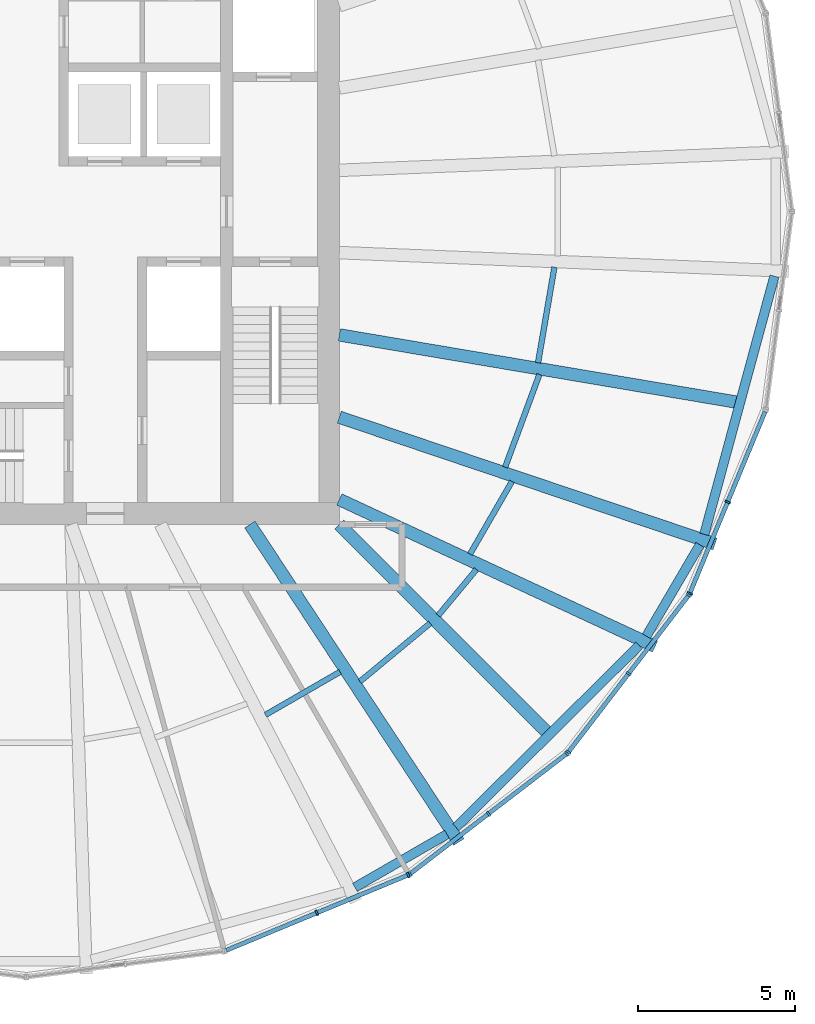
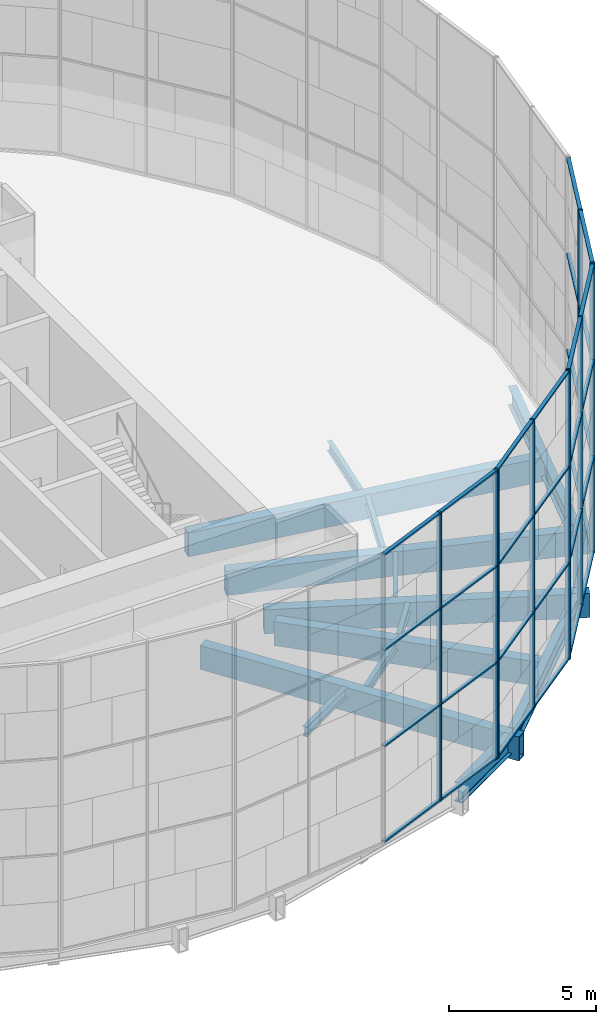
# One storey, part 4 of 22: 42 members, 15 beams, 4 elements without a shape of their own.
"""IFC4 building model written with IfcOpenShell, lengths in metres."""

from ifc_helpers import new_model, si_unit, direction, frame, origin, origin_2d, place, context, subcontext, project, spatial, rectangle, hollow_rectangle, i_section, extrude, material, material_profile, profile_set, type_object, element, aggregate, save


model = new_model("IFC4")

# Units and contexts
model_context = context("Model", 3, precision=1e-05, world=origin(), true_north=direction((0.0, 1.0)))
body_context = subcontext(model_context, "Body", "Model", "MODEL_VIEW")
ifc_project = project(units=[si_unit("LENGTHUNIT", "METRE"), si_unit("AREAUNIT", "SQUARE_METRE"), si_unit("VOLUMEUNIT", "CUBIC_METRE"), si_unit("PLANEANGLEUNIT", "RADIAN"), si_unit("MASSUNIT", "GRAM", prefix="KILO")], contexts=[model_context])

# Site, building, storey
site_placement = place(None, origin())
site = spatial("IfcSite", under=ifc_project, at=site_placement, CompositionType="ELEMENT")
building_placement = place(site_placement, origin())
building = spatial("IfcBuilding", under=site, at=building_placement, Name="Golbaran Civic Tower", CompositionType="ELEMENT")
storey_placement = place(building_placement, frame((0.0, 0.0, 90.0)))
storey = spatial("IfcBuildingStorey", under=building, at=storey_placement, Name="L21", CompositionType="ELEMENT", Elevation=90.0)

# Beams
ifc_material_1 = material(Name="Steel S355", Category="steel")
ifc_material_profile_1 = material_profile(ifc_material_1, i_section(OverallWidth=0.300048828125, OverallDepth=0.800048828125, WebThickness=0.017578125, FlangeThickness=0.032958984375, FilletRadius=0.030029296875, at=origin_2d()), Name="HEB 800")
ifc_profile_set_1 = profile_set([ifc_material_profile_1], Name="Steel S355")
beam_type_1 = type_object("IfcBeamType", Name="EDGE BEAM HEB 800", PredefinedType="BEAM", material=ifc_profile_set_1)
beam_1_placement = place(storey_placement, frame((10.498291015625, -21.59130859375, -0.60009765625), z_axis=(0.866177202748, 0.499736984262, 0.0), x_axis=(-0.499736984262, 0.866177202748, 0.0)))
element("IfcBeam", 1, at=beam_1_placement, inside=storey, type_object=beam_type_1, Name="Edge beam 295.58 L21", PredefinedType="BEAM", context=body_context, shape_type="SweptSolid", body=[
    extrude(i_section(OverallWidth=0.300048828125, OverallDepth=0.800048828125, WebThickness=0.017578125, FlangeThickness=0.032958984375, FilletRadius=0.030029296875, at=origin_2d()), origin(), (0.0, 0.0, 1.0), 3.393798828125),
])
beam_2_placement = place(storey_placement, frame((13.724365234375, -19.67578125, -0.60009765625), z_axis=(0.709410042226, 0.704795993171, 0.0), x_axis=(-0.704795993171, 0.709410042226, 0.0)))
element("IfcBeam", 2, at=beam_2_placement, inside=storey, type_object=beam_type_1, Name="Edge beam 304.42 L21", PredefinedType="BEAM", context=body_context, shape_type="SweptSolid", body=[
    extrude(i_section(OverallWidth=0.300048828125, OverallDepth=0.800048828125, WebThickness=0.017578125, FlangeThickness=0.032958984375, FilletRadius=0.030029296875, at=origin_2d()), origin(), (0.0, 0.0, 1.0), 8.25439453125),
])
beam_3_placement = place(storey_placement, frame((19.807373046875, -13.56689453125, -0.60009765625), z_axis=(0.50551208976, 0.862819521746, 0.0), x_axis=(-0.862819521746, 0.50551208976, 0.0)))
element("IfcBeam", 3, at=beam_3_placement, inside=storey, type_object=beam_type_1, Name="Edge beam 325.58 L21", PredefinedType="BEAM", context=body_context, shape_type="SweptSolid", body=[
    extrude(i_section(OverallWidth=0.300048828125, OverallDepth=0.800048828125, WebThickness=0.017578125, FlangeThickness=0.032958984375, FilletRadius=0.030029296875, at=origin_2d()), origin(), (0.0, 0.0, 1.0), 3.383544921875),
])
beam_4_placement = place(storey_placement, frame((21.658203125, -10.314697265625, -0.60009765625), z_axis=(0.262164981127, 0.965023068466, 0.0), x_axis=(-0.965023068466, 0.262164981127, 0.0)))
element("IfcBeam", 4, at=beam_4_placement, inside=storey, type_object=beam_type_1, Name="Edge beam 334.42 L21", PredefinedType="BEAM", context=body_context, shape_type="SweptSolid", body=[
    extrude(i_section(OverallWidth=0.300048828125, OverallDepth=0.800048828125, WebThickness=0.017578125, FlangeThickness=0.032958984375, FilletRadius=0.030029296875, at=origin_2d()), origin(), (0.0, 0.0, 1.0), 8.546875),
])
ifc_material_profile_2 = material_profile(ifc_material_1, i_section(OverallWidth=0.179931640625, OverallDepth=0.39990234375, WebThickness=0.008544921875, FlangeThickness=0.013427734375, FilletRadius=0.02099609375, at=origin_2d()), Name="IPE 400")
ifc_profile_set_2 = profile_set([ifc_material_profile_2], Name="Steel S355")
beam_type_2 = type_object("IfcBeamType", Name="FLOOR INFILL BEAM IPE 400", PredefinedType="BEAM", material=ifc_profile_set_2)
beam_5_placement = place(storey_placement, frame((7.6416015625, -16.081298828125, -0.39990234375), z_axis=(0.866033343297, 0.499986248108, 0.0), x_axis=(-0.499986248108, 0.866033343297, 0.0)))
element("IfcBeam", 5, at=beam_5_placement, inside=storey, type_object=beam_type_2, Name="Infill beam 300.00 L21", PredefinedType="BEAM", context=body_context, shape_type="SweptSolid", body=[
    extrude(i_section(OverallWidth=0.179931640625, OverallDepth=0.39990234375, WebThickness=0.008544921875, FlangeThickness=0.013427734375, FilletRadius=0.02099609375, at=origin_2d()), origin(), (0.0, 0.0, 1.0), 2.75048828125),
])
beam_6_placement = place(storey_placement, frame((10.658935546875, -15.016357421875, -0.39990234375), z_axis=(0.769325958609, 0.638856454464, 0.0), x_axis=(-0.638856454464, 0.769325958609, 0.0)))
element("IfcBeam", 6, at=beam_6_placement, inside=storey, type_object=beam_type_2, Name="Infill beam 309.71 L21", PredefinedType="BEAM", context=body_context, shape_type="SweptSolid", body=[
    extrude(i_section(OverallWidth=0.179931640625, OverallDepth=0.39990234375, WebThickness=0.008544921875, FlangeThickness=0.013427734375, FilletRadius=0.02099609375, at=origin_2d()), origin(), (0.0, 0.0, 1.0), 2.91357421875),
])
beam_7_placement = place(storey_placement, frame((13.159912109375, -12.905517578125, -0.39990234375), z_axis=(0.638925380548, 0.769268716439, 0.0), x_axis=(-0.769268716439, 0.638925380548, 0.0)))
element("IfcBeam", 7, at=beam_7_placement, inside=storey, type_object=beam_type_2, Name="Infill beam 320.29 L21", PredefinedType="BEAM", context=body_context, shape_type="SweptSolid", body=[
    extrude(i_section(OverallWidth=0.179931640625, OverallDepth=0.39990234375, WebThickness=0.008544921875, FlangeThickness=0.013427734375, FilletRadius=0.02099609375, at=origin_2d()), origin(), (0.0, 0.0, 1.0), 1.90869140625),
])
beam_8_placement = place(storey_placement, frame((14.174560546875, -10.94482421875, -0.39990234375), z_axis=(0.500045531117, 0.865999114786, 0.0), x_axis=(-0.865999114786, 0.500045531117, 0.0)))
element("IfcBeam", 8, at=beam_8_placement, inside=storey, type_object=beam_type_2, Name="Infill beam 330.00 L21", PredefinedType="BEAM", context=body_context, shape_type="SweptSolid", body=[
    extrude(i_section(OverallWidth=0.179931640625, OverallDepth=0.39990234375, WebThickness=0.008544921875, FlangeThickness=0.013427734375, FilletRadius=0.02099609375, at=origin_2d()), origin(), (0.0, 0.0, 1.0), 2.681884765625),
])
beam_9_placement = place(storey_placement, frame((15.296630859375, -8.16845703125, -0.39990234375), z_axis=(0.346755155412, 0.937955682426, 0.0), x_axis=(-0.937955682426, 0.346755155412, 0.0)))
element("IfcBeam", 9, at=beam_9_placement, inside=storey, type_object=beam_type_2, Name="Infill beam 339.71 L21", PredefinedType="BEAM", context=body_context, shape_type="SweptSolid", body=[
    extrude(i_section(OverallWidth=0.179931640625, OverallDepth=0.39990234375, WebThickness=0.008544921875, FlangeThickness=0.013427734375, FilletRadius=0.02099609375, at=origin_2d()), origin(), (0.0, 0.0, 1.0), 3.156982421875),
])
beam_10_placement = place(storey_placement, frame((16.34814453125, -4.834716796875, -0.39990234375), z_axis=(0.168673252572, 0.985672021449, 0.0), x_axis=(-0.985672021449, 0.168673252572, 0.0)))
element("IfcBeam", 10, at=beam_10_placement, inside=storey, type_object=beam_type_2, Name="Infill beam 350.29 L21", PredefinedType="BEAM", context=body_context, shape_type="SweptSolid", body=[
    extrude(i_section(OverallWidth=0.179931640625, OverallDepth=0.39990234375, WebThickness=0.008544921875, FlangeThickness=0.013427734375, FilletRadius=0.02099609375, at=origin_2d()), origin(), (0.0, 0.0, 1.0), 3.101806640625),
])

# Curtain wall, members
ifc_material_2 = material(Name="Aluminium and glass", Category="aluminium")
curtain_wall_type = type_object("IfcCurtainWallType", Name="INNER SKIN CURTAIN WALL", PredefinedType="NOTDEFINED", material=ifc_material_2)
curtain_wall_1_placement = place(storey_placement, origin())
curtain_wall_1 = element("IfcCurtainWall", 11, at=curtain_wall_1_placement, inside=storey, type_object=curtain_wall_type, Name="Inner skin L21 facet 20 CW1", ObjectType="INNER SKIN", PredefinedType="USERDEFINED")
ifc_material_3 = material(Name="Aluminium", Category="aluminium")
ifc_material_profile_3 = material_profile(ifc_material_3, rectangle(XDim=0.179931640625, YDim=0.06494140625, at=origin_2d()), Name="INNER SKIN CURTAIN WALL MULLION")
ifc_profile_set_3 = profile_set([ifc_material_profile_3], Name="Aluminium")
member_type_1 = type_object("IfcMemberType", Name="INNER SKIN CURTAIN WALL MULLION", PredefinedType="MULLION", material=ifc_profile_set_3)
member_1_placement = place(storey_placement, frame((9.28076171875, -22.40576171875, 0.0), z_axis=(0.0, 0.0, 1.0), x_axis=(-0.382683432365, 0.923879532511, 0.0)))
member_1 = element("IfcMember", 12, at=member_1_placement, type_object=member_type_1, Name="CW1 mullion 2", PredefinedType="MULLION", context=body_context, shape_type="SweptSolid", body=[
    extrude(rectangle(XDim=0.179931640625, YDim=0.06494140625, at=origin_2d()), origin(), (0.0, 0.0, 1.0), 12.0),
])
member_2_placement = place(storey_placement, frame((12.200439453125, -21.1962890625, 0.0), z_axis=(0.0, 0.0, 1.0), x_axis=(-0.382683432365, 0.923879532511, 0.0)))
member_2 = element("IfcMember", 13, at=member_2_placement, type_object=member_type_1, Name="CW1 mullion 3", PredefinedType="MULLION", context=body_context, shape_type="SweptSolid", body=[
    extrude(rectangle(XDim=0.179931640625, YDim=0.06494140625, at=origin_2d()), origin(), (0.0, 0.0, 1.0), 12.0),
])

curtain_wall_2_placement = place(storey_placement, origin())
curtain_wall_2 = element("IfcCurtainWall", 14, at=curtain_wall_2_placement, inside=storey, type_object=curtain_wall_type, Name="Inner skin L21 facet 21 CW1", ObjectType="INNER SKIN", PredefinedType="USERDEFINED")
member_3_placement = place(storey_placement, frame((12.25634765625, -21.1640625, 0.0), z_axis=(0.0, 0.0, 1.0), x_axis=(-0.608761428939, 0.793353340344, 0.0)))
member_3 = element("IfcMember", 15, at=member_3_placement, type_object=member_type_1, Name="CW1 mullion 1", PredefinedType="MULLION", context=body_context, shape_type="SweptSolid", body=[
    extrude(rectangle(XDim=0.179931640625, YDim=0.06494140625, at=origin_2d()), origin(), (0.0, 0.0, 1.0), 12.0),
])
member_4_placement = place(storey_placement, frame((14.763427734375, -19.240234375, 0.0), z_axis=(0.0, 0.0, 1.0), x_axis=(-0.608761428939, 0.793353340344, 0.0)))
member_4 = element("IfcMember", 16, at=member_4_placement, type_object=member_type_1, Name="CW1 mullion 2", PredefinedType="MULLION", context=body_context, shape_type="SweptSolid", body=[
    extrude(rectangle(XDim=0.179931640625, YDim=0.06494140625, at=origin_2d()), origin(), (0.0, 0.0, 1.0), 12.0),
])
member_5_placement = place(storey_placement, frame((17.270751953125, -17.31640625, 0.0), z_axis=(0.0, 0.0, 1.0), x_axis=(-0.608761428939, 0.793353340344, 0.0)))
member_5 = element("IfcMember", 17, at=member_5_placement, type_object=member_type_1, Name="CW1 mullion 3", PredefinedType="MULLION", context=body_context, shape_type="SweptSolid", body=[
    extrude(rectangle(XDim=0.179931640625, YDim=0.06494140625, at=origin_2d()), origin(), (0.0, 0.0, 1.0), 12.0),
])

curtain_wall_3_placement = place(storey_placement, origin())
curtain_wall_3 = element("IfcCurtainWall", 18, at=curtain_wall_3_placement, inside=storey, type_object=curtain_wall_type, Name="Inner skin L21 facet 22 CW1", ObjectType="INNER SKIN", PredefinedType="USERDEFINED")
member_6_placement = place(storey_placement, frame((17.31640625, -17.270751953125, 0.0), z_axis=(0.0, 0.0, 1.0), x_axis=(-0.793353340344, 0.608761428939, 0.0)))
member_6 = element("IfcMember", 19, at=member_6_placement, type_object=member_type_1, Name="CW1 mullion 1", PredefinedType="MULLION", context=body_context, shape_type="SweptSolid", body=[
    extrude(rectangle(XDim=0.179931640625, YDim=0.06494140625, at=origin_2d()), origin(), (0.0, 0.0, 1.0), 12.0),
])
member_7_placement = place(storey_placement, frame((19.240234375, -14.763427734375, 0.0), z_axis=(0.0, 0.0, 1.0), x_axis=(-0.793353340344, 0.608761428939, 0.0)))
member_7 = element("IfcMember", 20, at=member_7_placement, type_object=member_type_1, Name="CW1 mullion 2", PredefinedType="MULLION", context=body_context, shape_type="SweptSolid", body=[
    extrude(rectangle(XDim=0.179931640625, YDim=0.06494140625, at=origin_2d()), origin(), (0.0, 0.0, 1.0), 12.0),
])
member_8_placement = place(storey_placement, frame((21.1640625, -12.25634765625, 0.0), z_axis=(0.0, 0.0, 1.0), x_axis=(-0.793353340344, 0.608761428939, 0.0)))
member_8 = element("IfcMember", 21, at=member_8_placement, type_object=member_type_1, Name="CW1 mullion 3", PredefinedType="MULLION", context=body_context, shape_type="SweptSolid", body=[
    extrude(rectangle(XDim=0.179931640625, YDim=0.06494140625, at=origin_2d()), origin(), (0.0, 0.0, 1.0), 12.0),
])

curtain_wall_4_placement = place(storey_placement, origin())
curtain_wall_4 = element("IfcCurtainWall", 22, at=curtain_wall_4_placement, inside=storey, type_object=curtain_wall_type, Name="Inner skin L21 facet 23 CW1", ObjectType="INNER SKIN", PredefinedType="USERDEFINED")
member_9_placement = place(storey_placement, frame((21.1962890625, -12.200439453125, 0.0), z_axis=(0.0, 0.0, 1.0), x_axis=(-0.923879532511, 0.382683432365, 0.0)))
member_9 = element("IfcMember", 23, at=member_9_placement, type_object=member_type_1, Name="CW1 mullion 1", PredefinedType="MULLION", context=body_context, shape_type="SweptSolid", body=[
    extrude(rectangle(XDim=0.179931640625, YDim=0.06494140625, at=origin_2d()), origin(), (0.0, 0.0, 1.0), 12.0),
])
member_10_placement = place(storey_placement, frame((22.40576171875, -9.28076171875, 0.0), z_axis=(0.0, 0.0, 1.0), x_axis=(-0.923879532511, 0.382683432365, 0.0)))
member_10 = element("IfcMember", 24, at=member_10_placement, type_object=member_type_1, Name="CW1 mullion 2", PredefinedType="MULLION", context=body_context, shape_type="SweptSolid", body=[
    extrude(rectangle(XDim=0.179931640625, YDim=0.06494140625, at=origin_2d()), origin(), (0.0, 0.0, 1.0), 12.0),
])

# Member
ifc_material_profile_4 = material_profile(ifc_material_3, rectangle(XDim=0.139892578125, YDim=0.06494140625, at=origin_2d()), Name="INNER SKIN CURTAIN WALL TRANSOM")
ifc_profile_set_4 = profile_set([ifc_material_profile_4], Name="Aluminium")
member_type_2 = type_object("IfcMemberType", Name="INNER SKIN CURTAIN WALL TRANSOM", PredefinedType="USERDEFINED", material=ifc_profile_set_4)
member_11_placement = place(storey_placement, frame((6.39111328125, -23.6025390625, 0.032470703125), z_axis=(0.923898591316, 0.382637417099, 0.0), x_axis=(-0.382637417099, 0.923898591316, 0.0)))
member_11 = element("IfcMember", 25, at=member_11_placement, type_object=member_type_2, Name="CW1 transom 1.1", ObjectType="TRANSOM", PredefinedType="USERDEFINED", context=body_context, shape_type="SweptSolid", body=[
    extrude(rectangle(XDim=0.139892578125, YDim=0.06494140625, at=origin_2d()), origin(), (0.0, 0.0, 1.0), 3.09521484375),
])

member_12_placement = place(storey_placement, frame((6.39111328125, -23.6025390625, 4.0), z_axis=(0.923898591316, 0.382637417099, 0.0), x_axis=(-0.382637417099, 0.923898591316, 0.0)))
member_12 = element("IfcMember", 26, at=member_12_placement, type_object=member_type_2, Name="CW1 transom 1.2", ObjectType="TRANSOM", PredefinedType="USERDEFINED", context=body_context, shape_type="SweptSolid", body=[
    extrude(rectangle(XDim=0.139892578125, YDim=0.06494140625, at=origin_2d()), origin(), (0.0, 0.0, 1.0), 3.09521484375),
])

member_13_placement = place(storey_placement, frame((6.39111328125, -23.6025390625, 8.0), z_axis=(0.923898591316, 0.382637417099, 0.0), x_axis=(-0.382637417099, 0.923898591316, 0.0)))
member_13 = element("IfcMember", 27, at=member_13_placement, type_object=member_type_2, Name="CW1 transom 1.3", ObjectType="TRANSOM", PredefinedType="USERDEFINED", context=body_context, shape_type="SweptSolid", body=[
    extrude(rectangle(XDim=0.139892578125, YDim=0.06494140625, at=origin_2d()), origin(), (0.0, 0.0, 1.0), 3.09521484375),
])

member_14_placement = place(storey_placement, frame((6.39111328125, -23.6025390625, 11.967529296875), z_axis=(0.923898591316, 0.382637417099, 0.0), x_axis=(-0.382637417099, 0.923898591316, 0.0)))
member_14 = element("IfcMember", 28, at=member_14_placement, type_object=member_type_2, Name="CW1 transom 1.4", ObjectType="TRANSOM", PredefinedType="USERDEFINED", context=body_context, shape_type="SweptSolid", body=[
    extrude(rectangle(XDim=0.139892578125, YDim=0.06494140625, at=origin_2d()), origin(), (0.0, 0.0, 1.0), 3.09521484375),
])

member_15_placement = place(storey_placement, frame((9.310791015625, -22.393310546875, 0.032470703125), z_axis=(0.923870704881, 0.382704743455, 0.0), x_axis=(-0.382704743455, 0.923870704881, 0.0)))
member_15 = element("IfcMember", 29, at=member_15_placement, type_object=member_type_2, Name="CW1 transom 2.1", ObjectType="TRANSOM", PredefinedType="USERDEFINED", context=body_context, shape_type="SweptSolid", body=[
    extrude(rectangle(XDim=0.139892578125, YDim=0.06494140625, at=origin_2d()), origin(), (0.0, 0.0, 1.0), 3.09521484375),
])

member_16_placement = place(storey_placement, frame((9.310791015625, -22.393310546875, 4.0), z_axis=(0.923870704881, 0.382704743455, 0.0), x_axis=(-0.382704743455, 0.923870704881, 0.0)))
member_16 = element("IfcMember", 30, at=member_16_placement, type_object=member_type_2, Name="CW1 transom 2.2", ObjectType="TRANSOM", PredefinedType="USERDEFINED", context=body_context, shape_type="SweptSolid", body=[
    extrude(rectangle(XDim=0.139892578125, YDim=0.06494140625, at=origin_2d()), origin(), (0.0, 0.0, 1.0), 3.09521484375),
])

member_17_placement = place(storey_placement, frame((9.310791015625, -22.393310546875, 8.0), z_axis=(0.923870704881, 0.382704743455, 0.0), x_axis=(-0.382704743455, 0.923870704881, 0.0)))
member_17 = element("IfcMember", 31, at=member_17_placement, type_object=member_type_2, Name="CW1 transom 2.3", ObjectType="TRANSOM", PredefinedType="USERDEFINED", context=body_context, shape_type="SweptSolid", body=[
    extrude(rectangle(XDim=0.139892578125, YDim=0.06494140625, at=origin_2d()), origin(), (0.0, 0.0, 1.0), 3.09521484375),
])

member_18_placement = place(storey_placement, frame((9.310791015625, -22.393310546875, 11.967529296875), z_axis=(0.923870704881, 0.382704743455, 0.0), x_axis=(-0.382704743455, 0.923870704881, 0.0)))
member_18 = element("IfcMember", 32, at=member_18_placement, type_object=member_type_2, Name="CW1 transom 2.4", ObjectType="TRANSOM", PredefinedType="USERDEFINED", context=body_context, shape_type="SweptSolid", body=[
    extrude(rectangle(XDim=0.139892578125, YDim=0.06494140625, at=origin_2d()), origin(), (0.0, 0.0, 1.0), 3.09521484375),
])

aggregate(curtain_wall_1, [member_1, member_2, member_11, member_12, member_13, member_14, member_15, member_16, member_17, member_18])

member_19_placement = place(storey_placement, frame((12.281982421875, -21.144287109375, 0.032470703125), z_axis=(0.793373992404, 0.608734513706, 0.0), x_axis=(-0.608734513706, 0.793373992404, 0.0)))
member_19 = element("IfcMember", 33, at=member_19_placement, type_object=member_type_2, Name="CW1 transom 1.1", ObjectType="TRANSOM", PredefinedType="USERDEFINED", context=body_context, shape_type="SweptSolid", body=[
    extrude(rectangle(XDim=0.139892578125, YDim=0.06494140625, at=origin_2d()), origin(), (0.0, 0.0, 1.0), 3.095458984375),
])

member_20_placement = place(storey_placement, frame((12.281982421875, -21.144287109375, 4.0), z_axis=(0.793373992404, 0.608734513706, 0.0), x_axis=(-0.608734513706, 0.793373992404, 0.0)))
member_20 = element("IfcMember", 34, at=member_20_placement, type_object=member_type_2, Name="CW1 transom 1.2", ObjectType="TRANSOM", PredefinedType="USERDEFINED", context=body_context, shape_type="SweptSolid", body=[
    extrude(rectangle(XDim=0.139892578125, YDim=0.06494140625, at=origin_2d()), origin(), (0.0, 0.0, 1.0), 3.095458984375),
])

member_21_placement = place(storey_placement, frame((12.281982421875, -21.144287109375, 8.0), z_axis=(0.793373992404, 0.608734513706, 0.0), x_axis=(-0.608734513706, 0.793373992404, 0.0)))
member_21 = element("IfcMember", 35, at=member_21_placement, type_object=member_type_2, Name="CW1 transom 1.3", ObjectType="TRANSOM", PredefinedType="USERDEFINED", context=body_context, shape_type="SweptSolid", body=[
    extrude(rectangle(XDim=0.139892578125, YDim=0.06494140625, at=origin_2d()), origin(), (0.0, 0.0, 1.0), 3.095458984375),
])

member_22_placement = place(storey_placement, frame((12.281982421875, -21.144287109375, 11.967529296875), z_axis=(0.793373992404, 0.608734513706, 0.0), x_axis=(-0.608734513706, 0.793373992404, 0.0)))
member_22 = element("IfcMember", 36, at=member_22_placement, type_object=member_type_2, Name="CW1 transom 1.4", ObjectType="TRANSOM", PredefinedType="USERDEFINED", context=body_context, shape_type="SweptSolid", body=[
    extrude(rectangle(XDim=0.139892578125, YDim=0.06494140625, at=origin_2d()), origin(), (0.0, 0.0, 1.0), 3.095458984375),
])

member_23_placement = place(storey_placement, frame((14.789306640625, -19.220458984375, 0.032470703125), z_axis=(0.793344763013, 0.608772606973, 0.0), x_axis=(-0.608772606973, 0.793344763013, 0.0)))
member_23 = element("IfcMember", 37, at=member_23_placement, type_object=member_type_2, Name="CW1 transom 2.1", ObjectType="TRANSOM", PredefinedType="USERDEFINED", context=body_context, shape_type="SweptSolid", body=[
    extrude(rectangle(XDim=0.139892578125, YDim=0.06494140625, at=origin_2d()), origin(), (0.0, 0.0, 1.0), 3.09521484375),
])

member_24_placement = place(storey_placement, frame((14.789306640625, -19.220458984375, 4.0), z_axis=(0.793344763013, 0.608772606973, 0.0), x_axis=(-0.608772606973, 0.793344763013, 0.0)))
member_24 = element("IfcMember", 38, at=member_24_placement, type_object=member_type_2, Name="CW1 transom 2.2", ObjectType="TRANSOM", PredefinedType="USERDEFINED", context=body_context, shape_type="SweptSolid", body=[
    extrude(rectangle(XDim=0.139892578125, YDim=0.06494140625, at=origin_2d()), origin(), (0.0, 0.0, 1.0), 3.09521484375),
])

member_25_placement = place(storey_placement, frame((14.789306640625, -19.220458984375, 8.0), z_axis=(0.793344763013, 0.608772606973, 0.0), x_axis=(-0.608772606973, 0.793344763013, 0.0)))
member_25 = element("IfcMember", 39, at=member_25_placement, type_object=member_type_2, Name="CW1 transom 2.3", ObjectType="TRANSOM", PredefinedType="USERDEFINED", context=body_context, shape_type="SweptSolid", body=[
    extrude(rectangle(XDim=0.139892578125, YDim=0.06494140625, at=origin_2d()), origin(), (0.0, 0.0, 1.0), 3.09521484375),
])

member_26_placement = place(storey_placement, frame((14.789306640625, -19.220458984375, 11.967529296875), z_axis=(0.793344763013, 0.608772606973, 0.0), x_axis=(-0.608772606973, 0.793344763013, 0.0)))
member_26 = element("IfcMember", 40, at=member_26_placement, type_object=member_type_2, Name="CW1 transom 2.4", ObjectType="TRANSOM", PredefinedType="USERDEFINED", context=body_context, shape_type="SweptSolid", body=[
    extrude(rectangle(XDim=0.139892578125, YDim=0.06494140625, at=origin_2d()), origin(), (0.0, 0.0, 1.0), 3.09521484375),
])

aggregate(curtain_wall_2, [member_3, member_4, member_5, member_19, member_20, member_21, member_22, member_23, member_24, member_25, member_26])

member_27_placement = place(storey_placement, frame((17.336181640625, -17.244873046875, 0.032470703125), z_axis=(0.608772606973, 0.793344763013, 0.0), x_axis=(-0.793344763013, 0.608772606973, 0.0)))
member_27 = element("IfcMember", 41, at=member_27_placement, type_object=member_type_2, Name="CW1 transom 1.1", ObjectType="TRANSOM", PredefinedType="USERDEFINED", context=body_context, shape_type="SweptSolid", body=[
    extrude(rectangle(XDim=0.139892578125, YDim=0.06494140625, at=origin_2d()), origin(), (0.0, 0.0, 1.0), 3.09521484375),
])

member_28_placement = place(storey_placement, frame((17.336181640625, -17.244873046875, 4.0), z_axis=(0.608772606973, 0.793344763013, 0.0), x_axis=(-0.793344763013, 0.608772606973, 0.0)))
member_28 = element("IfcMember", 42, at=member_28_placement, type_object=member_type_2, Name="CW1 transom 1.2", ObjectType="TRANSOM", PredefinedType="USERDEFINED", context=body_context, shape_type="SweptSolid", body=[
    extrude(rectangle(XDim=0.139892578125, YDim=0.06494140625, at=origin_2d()), origin(), (0.0, 0.0, 1.0), 3.09521484375),
])

member_29_placement = place(storey_placement, frame((17.336181640625, -17.244873046875, 8.0), z_axis=(0.608772606973, 0.793344763013, 0.0), x_axis=(-0.793344763013, 0.608772606973, 0.0)))
member_29 = element("IfcMember", 43, at=member_29_placement, type_object=member_type_2, Name="CW1 transom 1.3", ObjectType="TRANSOM", PredefinedType="USERDEFINED", context=body_context, shape_type="SweptSolid", body=[
    extrude(rectangle(XDim=0.139892578125, YDim=0.06494140625, at=origin_2d()), origin(), (0.0, 0.0, 1.0), 3.09521484375),
])

member_30_placement = place(storey_placement, frame((17.336181640625, -17.244873046875, 11.967529296875), z_axis=(0.608772606973, 0.793344763013, 0.0), x_axis=(-0.793344763013, 0.608772606973, 0.0)))
member_30 = element("IfcMember", 44, at=member_30_placement, type_object=member_type_2, Name="CW1 transom 1.4", ObjectType="TRANSOM", PredefinedType="USERDEFINED", context=body_context, shape_type="SweptSolid", body=[
    extrude(rectangle(XDim=0.139892578125, YDim=0.06494140625, at=origin_2d()), origin(), (0.0, 0.0, 1.0), 3.09521484375),
])

member_31_placement = place(storey_placement, frame((19.260009765625, -14.73779296875, 0.032470703125), z_axis=(0.608734513706, 0.793373992404, 0.0), x_axis=(-0.793373992404, 0.608734513706, 0.0)))
member_31 = element("IfcMember", 45, at=member_31_placement, type_object=member_type_2, Name="CW1 transom 2.1", ObjectType="TRANSOM", PredefinedType="USERDEFINED", context=body_context, shape_type="SweptSolid", body=[
    extrude(rectangle(XDim=0.139892578125, YDim=0.06494140625, at=origin_2d()), origin(), (0.0, 0.0, 1.0), 3.095458984375),
])

member_32_placement = place(storey_placement, frame((19.260009765625, -14.73779296875, 4.0), z_axis=(0.608734513706, 0.793373992404, 0.0), x_axis=(-0.793373992404, 0.608734513706, 0.0)))
member_32 = element("IfcMember", 46, at=member_32_placement, type_object=member_type_2, Name="CW1 transom 2.2", ObjectType="TRANSOM", PredefinedType="USERDEFINED", context=body_context, shape_type="SweptSolid", body=[
    extrude(rectangle(XDim=0.139892578125, YDim=0.06494140625, at=origin_2d()), origin(), (0.0, 0.0, 1.0), 3.095458984375),
])

member_33_placement = place(storey_placement, frame((19.260009765625, -14.73779296875, 8.0), z_axis=(0.608734513706, 0.793373992404, 0.0), x_axis=(-0.793373992404, 0.608734513706, 0.0)))
member_33 = element("IfcMember", 47, at=member_33_placement, type_object=member_type_2, Name="CW1 transom 2.3", ObjectType="TRANSOM", PredefinedType="USERDEFINED", context=body_context, shape_type="SweptSolid", body=[
    extrude(rectangle(XDim=0.139892578125, YDim=0.06494140625, at=origin_2d()), origin(), (0.0, 0.0, 1.0), 3.095458984375),
])

member_34_placement = place(storey_placement, frame((19.260009765625, -14.73779296875, 11.967529296875), z_axis=(0.608734513706, 0.793373992404, 0.0), x_axis=(-0.793373992404, 0.608734513706, 0.0)))
member_34 = element("IfcMember", 48, at=member_34_placement, type_object=member_type_2, Name="CW1 transom 2.4", ObjectType="TRANSOM", PredefinedType="USERDEFINED", context=body_context, shape_type="SweptSolid", body=[
    extrude(rectangle(XDim=0.139892578125, YDim=0.06494140625, at=origin_2d()), origin(), (0.0, 0.0, 1.0), 3.095458984375),
])

aggregate(curtain_wall_3, [member_6, member_7, member_8, member_27, member_28, member_29, member_30, member_31, member_32, member_33, member_34])

member_35_placement = place(storey_placement, frame((21.208740234375, -12.17041015625, 0.032470703125), z_axis=(0.382704743455, 0.923870704881, 0.0), x_axis=(-0.923870704881, 0.382704743455, 0.0)))
member_35 = element("IfcMember", 49, at=member_35_placement, type_object=member_type_2, Name="CW1 transom 1.1", ObjectType="TRANSOM", PredefinedType="USERDEFINED", context=body_context, shape_type="SweptSolid", body=[
    extrude(rectangle(XDim=0.139892578125, YDim=0.06494140625, at=origin_2d()), origin(), (0.0, 0.0, 1.0), 3.09521484375),
])

member_36_placement = place(storey_placement, frame((21.208740234375, -12.17041015625, 4.0), z_axis=(0.382704743455, 0.923870704881, 0.0), x_axis=(-0.923870704881, 0.382704743455, 0.0)))
member_36 = element("IfcMember", 50, at=member_36_placement, type_object=member_type_2, Name="CW1 transom 1.2", ObjectType="TRANSOM", PredefinedType="USERDEFINED", context=body_context, shape_type="SweptSolid", body=[
    extrude(rectangle(XDim=0.139892578125, YDim=0.06494140625, at=origin_2d()), origin(), (0.0, 0.0, 1.0), 3.09521484375),
])

member_37_placement = place(storey_placement, frame((21.208740234375, -12.17041015625, 8.0), z_axis=(0.382704743455, 0.923870704881, 0.0), x_axis=(-0.923870704881, 0.382704743455, 0.0)))
member_37 = element("IfcMember", 51, at=member_37_placement, type_object=member_type_2, Name="CW1 transom 1.3", ObjectType="TRANSOM", PredefinedType="USERDEFINED", context=body_context, shape_type="SweptSolid", body=[
    extrude(rectangle(XDim=0.139892578125, YDim=0.06494140625, at=origin_2d()), origin(), (0.0, 0.0, 1.0), 3.09521484375),
])

member_38_placement = place(storey_placement, frame((21.208740234375, -12.17041015625, 11.967529296875), z_axis=(0.382704743455, 0.923870704881, 0.0), x_axis=(-0.923870704881, 0.382704743455, 0.0)))
member_38 = element("IfcMember", 52, at=member_38_placement, type_object=member_type_2, Name="CW1 transom 1.4", ObjectType="TRANSOM", PredefinedType="USERDEFINED", context=body_context, shape_type="SweptSolid", body=[
    extrude(rectangle(XDim=0.139892578125, YDim=0.06494140625, at=origin_2d()), origin(), (0.0, 0.0, 1.0), 3.09521484375),
])

member_39_placement = place(storey_placement, frame((22.418212890625, -9.250732421875, 0.032470703125), z_axis=(0.382637417099, 0.923898591316, 0.0), x_axis=(-0.923898591316, 0.382637417099, 0.0)))
member_39 = element("IfcMember", 53, at=member_39_placement, type_object=member_type_2, Name="CW1 transom 2.1", ObjectType="TRANSOM", PredefinedType="USERDEFINED", context=body_context, shape_type="SweptSolid", body=[
    extrude(rectangle(XDim=0.139892578125, YDim=0.06494140625, at=origin_2d()), origin(), (0.0, 0.0, 1.0), 3.09521484375),
])

member_40_placement = place(storey_placement, frame((22.418212890625, -9.250732421875, 4.0), z_axis=(0.382637417099, 0.923898591316, 0.0), x_axis=(-0.923898591316, 0.382637417099, 0.0)))
member_40 = element("IfcMember", 54, at=member_40_placement, type_object=member_type_2, Name="CW1 transom 2.2", ObjectType="TRANSOM", PredefinedType="USERDEFINED", context=body_context, shape_type="SweptSolid", body=[
    extrude(rectangle(XDim=0.139892578125, YDim=0.06494140625, at=origin_2d()), origin(), (0.0, 0.0, 1.0), 3.09521484375),
])

member_41_placement = place(storey_placement, frame((22.418212890625, -9.250732421875, 8.0), z_axis=(0.382637417099, 0.923898591316, 0.0), x_axis=(-0.923898591316, 0.382637417099, 0.0)))
member_41 = element("IfcMember", 55, at=member_41_placement, type_object=member_type_2, Name="CW1 transom 2.3", ObjectType="TRANSOM", PredefinedType="USERDEFINED", context=body_context, shape_type="SweptSolid", body=[
    extrude(rectangle(XDim=0.139892578125, YDim=0.06494140625, at=origin_2d()), origin(), (0.0, 0.0, 1.0), 3.09521484375),
])

member_42_placement = place(storey_placement, frame((22.418212890625, -9.250732421875, 11.967529296875), z_axis=(0.382637417099, 0.923898591316, 0.0), x_axis=(-0.923898591316, 0.382637417099, 0.0)))
member_42 = element("IfcMember", 56, at=member_42_placement, type_object=member_type_2, Name="CW1 transom 2.4", ObjectType="TRANSOM", PredefinedType="USERDEFINED", context=body_context, shape_type="SweptSolid", body=[
    extrude(rectangle(XDim=0.139892578125, YDim=0.06494140625, at=origin_2d()), origin(), (0.0, 0.0, 1.0), 3.09521484375),
])

aggregate(curtain_wall_4, [member_9, member_10, member_35, member_36, member_37, member_38, member_39, member_40, member_41, member_42])

# Beams
ifc_material_profile_5 = material_profile(ifc_material_1, hollow_rectangle(XDim=0.39990234375, YDim=1.0, WallThickness=0.050048828125, at=origin_2d()), Name="BOX 1000x400x50")
ifc_profile_set_5 = profile_set([ifc_material_profile_5], Name="Steel S355")
beam_type_3 = type_object("IfcBeamType", Name="RADIAL FLOOR BEAM BOX 1000x400x50", PredefinedType="BEAM", material=ifc_profile_set_5)
beam_11_placement = place(storey_placement, frame((7.142822265625, -10.0, -0.7099609375), z_axis=(0.549647880779, -0.835396437121, 0.0), x_axis=(0.835396437121, 0.549647880779, 0.0)))
element("IfcBeam", 57, at=beam_11_placement, inside=storey, type_object=beam_type_3, Name="Radial beam 304.42 L21", PredefinedType="BEAM", context=body_context, shape_type="SweptSolid", body=[
    extrude(hollow_rectangle(XDim=0.39990234375, YDim=1.0, WallThickness=0.050048828125, at=origin_2d()), origin(), (0.0, 0.0, 1.0), 12.14599609375),
])
beam_12_placement = place(storey_placement, frame((10.0, -9.199951171875, -0.7099609375), z_axis=(0.906581192846, -0.422031445247, 0.0), x_axis=(0.422031445247, 0.906581192846, 0.0)))
element("IfcBeam", 58, at=beam_12_placement, inside=storey, type_object=beam_type_3, Name="Radial beam 325.58 L21", PredefinedType="BEAM", context=body_context, shape_type="SweptSolid", body=[
    extrude(hollow_rectangle(XDim=0.39990234375, YDim=1.0, WallThickness=0.050048828125, at=origin_2d()), origin(), (0.0, 0.0, 1.0), 11.129638671875),
])
beam_13_placement = place(storey_placement, frame((10.0, -6.571533203125, -0.7099609375), z_axis=(0.947528474415, -0.319671378408, 0.0), x_axis=(0.319671378408, 0.947528474415, 0.0)))
element("IfcBeam", 59, at=beam_13_placement, inside=storey, type_object=beam_type_3, Name="Radial beam 334.42 L21", PredefinedType="BEAM", context=body_context, shape_type="SweptSolid", body=[
    extrude(hollow_rectangle(XDim=0.39990234375, YDim=1.0, WallThickness=0.050048828125, at=origin_2d()), origin(), (0.0, 0.0, 1.0), 12.668701171875),
])
ifc_material_profile_6 = material_profile(ifc_material_1, hollow_rectangle(XDim=0.39990234375, YDim=1.0, WallThickness=0.0400390625, at=origin_2d()), Name="BOX 1000x400x40")
ifc_profile_set_6 = profile_set([ifc_material_profile_6], Name="Steel S355")
beam_type_4 = type_object("IfcBeamType", Name="SECONDARY FLOOR BEAM BOX 1000x400x40", PredefinedType="BEAM", material=ifc_profile_set_6)
beam_14_placement = place(storey_placement, frame((10.0, -10.0, -0.7099609375), z_axis=(0.707106781187, -0.707106781187, 0.0), x_axis=(0.707106781187, 0.707106781187, 0.0)))
element("IfcBeam", 60, at=beam_14_placement, inside=storey, type_object=beam_type_4, Name="Secondary beam 315.00 L21", PredefinedType="BEAM", context=body_context, shape_type="SweptSolid", body=[
    extrude(hollow_rectangle(XDim=0.39990234375, YDim=1.0, WallThickness=0.0400390625, at=origin_2d()), origin(), (0.0, 0.0, 1.0), 9.489013671875),
])
beam_15_placement = place(storey_placement, frame((10.0, -3.94287109375, -0.7099609375), z_axis=(0.985977601057, -0.166877710358, 0.0), x_axis=(0.166877710358, 0.985977601057, 0.0)))
element("IfcBeam", 61, at=beam_15_placement, inside=storey, type_object=beam_type_4, Name="Secondary beam 345.00 L21", PredefinedType="BEAM", context=body_context, shape_type="SweptSolid", body=[
    extrude(hollow_rectangle(XDim=0.39990234375, YDim=1.0, WallThickness=0.0400390625, at=origin_2d()), origin(), (0.0, 0.0, 1.0), 12.982666015625),
])

save(model, "model.ifc")
